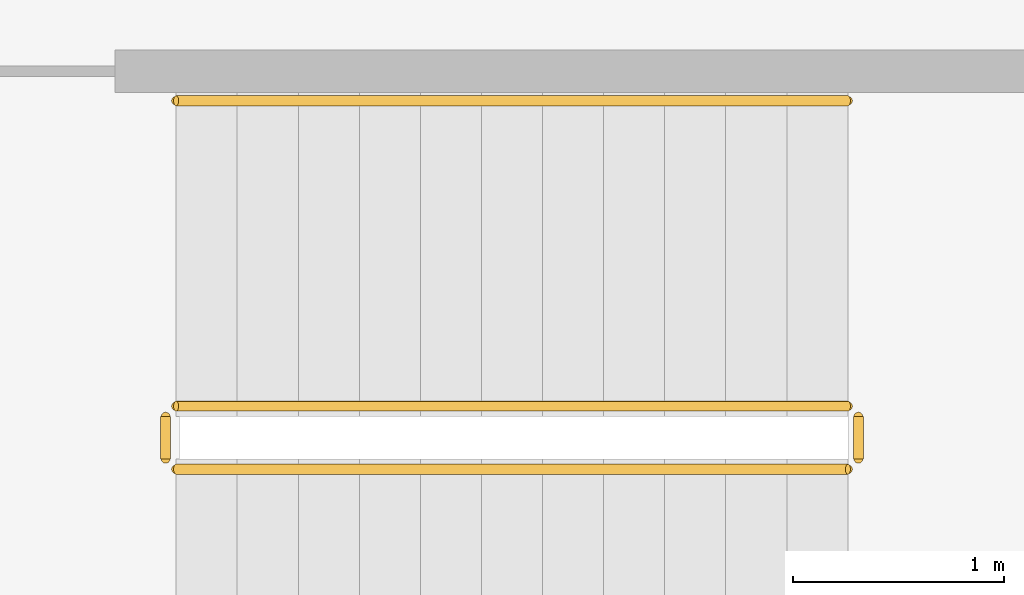
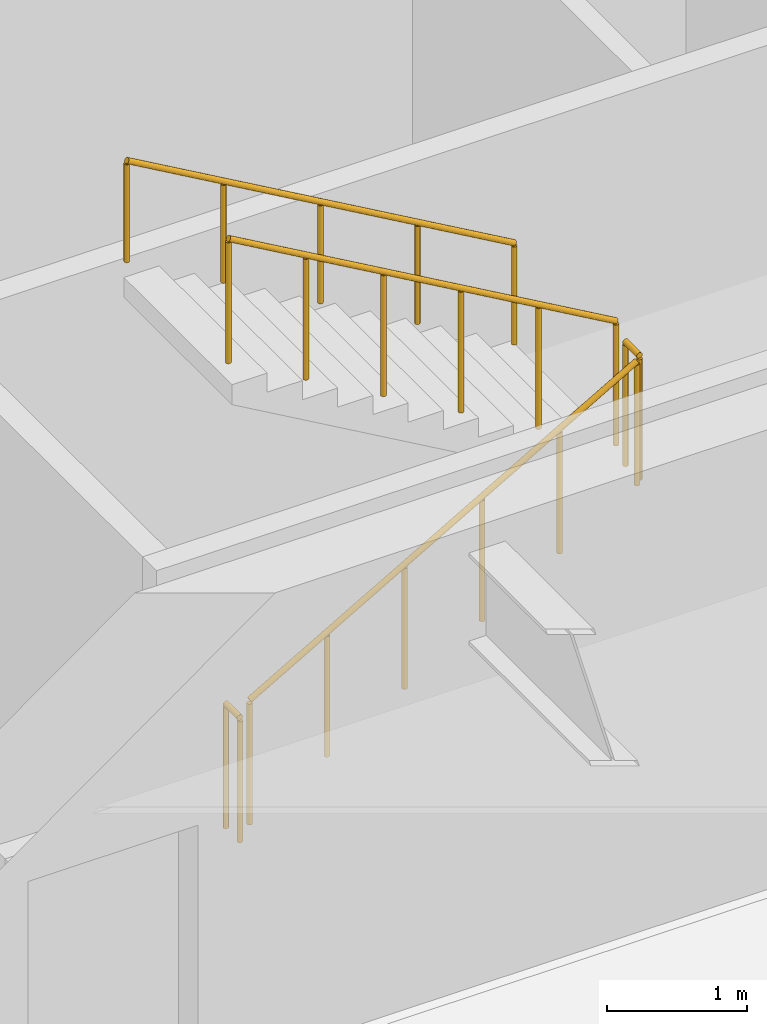
# One storey, part 20 of 21: 5 railings.
"""IFC4 building model written with IfcOpenShell, lengths in metres."""

from ifc_helpers import new_model, si_unit, direction, frame, origin, origin_2d, place, context, subcontext, project, spatial, circle, extrude, material, type_object, element, save


model = new_model("IFC4")

# Units and contexts
model_context = context("Model", 3, precision=1e-05, world=origin(), true_north=direction((0.0, 1.0)))
body_context = subcontext(model_context, "Body", "Model", "MODEL_VIEW")
ifc_project = project(units=[si_unit("LENGTHUNIT", "METRE"), si_unit("AREAUNIT", "SQUARE_METRE"), si_unit("VOLUMEUNIT", "CUBIC_METRE"), si_unit("PLANEANGLEUNIT", "RADIAN"), si_unit("MASSUNIT", "GRAM", prefix="KILO")], contexts=[model_context])

# Site, building, storey
site_placement = place(None, origin())
site = spatial("IfcSite", under=ifc_project, at=site_placement, CompositionType="ELEMENT")
building_placement = place(site_placement, origin())
building = spatial("IfcBuilding", under=site, at=building_placement, Name="Putna Gate Headquarters", CompositionType="ELEMENT")
storey_placement = place(building_placement, frame((0.0, 0.0, 278.39990234375)))
storey = spatial("IfcBuildingStorey", under=building, at=storey_placement, Name="L70", CompositionType="ELEMENT", Elevation=278.39990234375)

# Railings
ifc_material_1 = material(Name="Powder-coated steel stair guardrail", Category="steel")
railing_type_1 = type_object("IfcRailingType", Name="RAIL-STAIR-GUARD-1100", PredefinedType="GUARDRAIL", material=ifc_material_1)
railing_1_placement = place(storey_placement, frame((57.89990234375, 21.10009765625, 0.166748046875)))
element("IfcRailing", 1, at=railing_1_placement, inside=storey, type_object=railing_type_1, Name="L70 ST2 stair guard 1", PredefinedType="GUARDRAIL", context=body_context, shape_type="SweptSolid", body=[
    extrude(circle(Radius=0.02392578125, at=origin_2d()), frame((0.0, 0.0, 1.076171875), z_axis=(0.8670360191, 0.0, 0.498245463184), x_axis=(0.0, 1.0, 0.0)), (0.0, 0.0, 1.0), 3.679443359375),
    extrude(circle(Radius=0.02099609375, at=origin_2d()), origin(), (0.0, 0.0, 1.0), 1.052001953125),
    extrude(circle(Radius=0.02099609375, at=origin_2d()), frame((0.637939453125, 0.0, 0.36669921875)), (0.0, 0.0, 1.0), 1.052001953125),
    extrude(circle(Radius=0.02099609375, at=origin_2d()), frame((1.276123046875, 0.0, 0.7333984375)), (0.0, 0.0, 1.0), 1.052001953125),
    extrude(circle(Radius=0.02099609375, at=origin_2d()), frame((1.9140625, 0.0, 1.099853515625)), (0.0, 0.0, 1.0), 1.052001953125),
    extrude(circle(Radius=0.02099609375, at=origin_2d()), frame((2.55224609375, 0.0, 1.466552734375)), (0.0, 0.0, 1.0), 1.052001953125),
    extrude(circle(Radius=0.02099609375, at=origin_2d()), frame((3.190185546875, 0.0, 1.833251953125)), (0.0, 0.0, 1.0), 1.052001953125),
])
railing_2_placement = place(storey_placement, frame((61.139892578125, 21.14990234375, 2.0)))
element("IfcRailing", 2, at=railing_2_placement, inside=storey, type_object=railing_type_1, Name="L70 ST2 stair guard 2", PredefinedType="GUARDRAIL", context=body_context, shape_type="SweptSolid", body=[
    extrude(circle(Radius=0.02392578125, at=origin_2d()), frame((0.0, 0.0, 1.076171875), z_axis=(0.0, 1.0, 0.0), x_axis=(-1.0, 0.0, 0.0)), (0.0, 0.0, 1.0), 0.2001953125),
    extrude(circle(Radius=0.02099609375, at=origin_2d()), origin(), (0.0, 0.0, 1.0), 1.052001953125),
    extrude(circle(Radius=0.02099609375, at=origin_2d()), frame((0.0, 0.2001953125, 0.0)), (0.0, 0.0, 1.0), 1.052001953125),
])
railing_3_placement = place(storey_placement, frame((61.090087890625, 21.39990234375, 2.166748046875)))
element("IfcRailing", 3, at=railing_3_placement, inside=storey, type_object=railing_type_1, Name="L70 ST2 stair guard 3", PredefinedType="GUARDRAIL", context=body_context, shape_type="SweptSolid", body=[
    extrude(circle(Radius=0.02392578125, at=origin_2d()), frame((0.0, 0.0, 1.076171875), z_axis=(-0.8670360191, 0.0, 0.498245463184), x_axis=(0.0, -1.0, 0.0)), (0.0, 0.0, 1.0), 3.679443359375),
    extrude(circle(Radius=0.02099609375, at=origin_2d()), origin(), (0.0, 0.0, 1.0), 1.052001953125),
    extrude(circle(Radius=0.02099609375, at=origin_2d()), frame((-0.637939453125, 0.0, 0.36669921875)), (0.0, 0.0, 1.0), 1.052001953125),
    extrude(circle(Radius=0.02099609375, at=origin_2d()), frame((-1.276123046875, 0.0, 0.7333984375)), (0.0, 0.0, 1.0), 1.052001953125),
    extrude(circle(Radius=0.02099609375, at=origin_2d()), frame((-1.9140625, 0.0, 1.099853515625)), (0.0, 0.0, 1.0), 1.052001953125),
    extrude(circle(Radius=0.02099609375, at=origin_2d()), frame((-2.55224609375, 0.0, 1.466552734375)), (0.0, 0.0, 1.0), 1.052001953125),
    extrude(circle(Radius=0.02099609375, at=origin_2d()), frame((-3.190185546875, 0.0, 1.833251953125)), (0.0, 0.0, 1.0), 1.052001953125),
])
railing_4_placement = place(storey_placement, frame((57.85009765625, 21.14990234375, 0.0)))
element("IfcRailing", 4, at=railing_4_placement, inside=storey, type_object=railing_type_1, Name="L70 ST2 stair guard 4", PredefinedType="GUARDRAIL", context=body_context, shape_type="SweptSolid", body=[
    extrude(circle(Radius=0.02392578125, at=origin_2d()), frame((0.0, 0.0, 1.076171875), z_axis=(0.0, 1.0, 0.0), x_axis=(-1.0, 0.0, 0.0)), (0.0, 0.0, 1.0), 0.2001953125),
    extrude(circle(Radius=0.02099609375, at=origin_2d()), origin(), (0.0, 0.0, 1.0), 1.052001953125),
    extrude(circle(Radius=0.02099609375, at=origin_2d()), frame((0.0, 0.2001953125, 0.0)), (0.0, 0.0, 1.0), 1.052001953125),
])
ifc_material_2 = material(Name="Brushed stainless steel handrail", Category="steel")
railing_type_2 = type_object("IfcRailingType", Name="RAIL-STAIR-HAND-900", PredefinedType="HANDRAIL", material=ifc_material_2)
railing_5_placement = place(storey_placement, frame((61.090087890625, 22.85009765625, 2.166748046875)))
element("IfcRailing", 5, at=railing_5_placement, inside=storey, type_object=railing_type_2, Name="L70 ST2 stair handrail 2", PredefinedType="HANDRAIL", context=body_context, shape_type="SweptSolid", body=[
    extrude(circle(Radius=0.02392578125, at=origin_2d()), frame((0.0, 0.0, 0.8759765625), z_axis=(-0.8670360191, 0.0, 0.498245463184), x_axis=(0.0, -1.0, 0.0)), (0.0, 0.0, 1.0), 3.679443359375),
    extrude(circle(Radius=0.02099609375, at=origin_2d()), origin(), (0.0, 0.0, 1.0), 0.851806640625),
    extrude(circle(Radius=0.02099609375, at=origin_2d()), frame((-0.797607421875, 0.0, 0.458251953125)), (0.0, 0.0, 1.0), 0.851806640625),
    extrude(circle(Radius=0.02099609375, at=origin_2d()), frame((-1.59521484375, 0.0, 0.91650390625)), (0.0, 0.0, 1.0), 0.851806640625),
    extrude(circle(Radius=0.02099609375, at=origin_2d()), frame((-2.392578125, 0.0, 1.375)), (0.0, 0.0, 1.0), 0.851806640625),
    extrude(circle(Radius=0.02099609375, at=origin_2d()), frame((-3.190185546875, 0.0, 1.833251953125)), (0.0, 0.0, 1.0), 0.851806640625),
])

save(model, "model.ifc")
